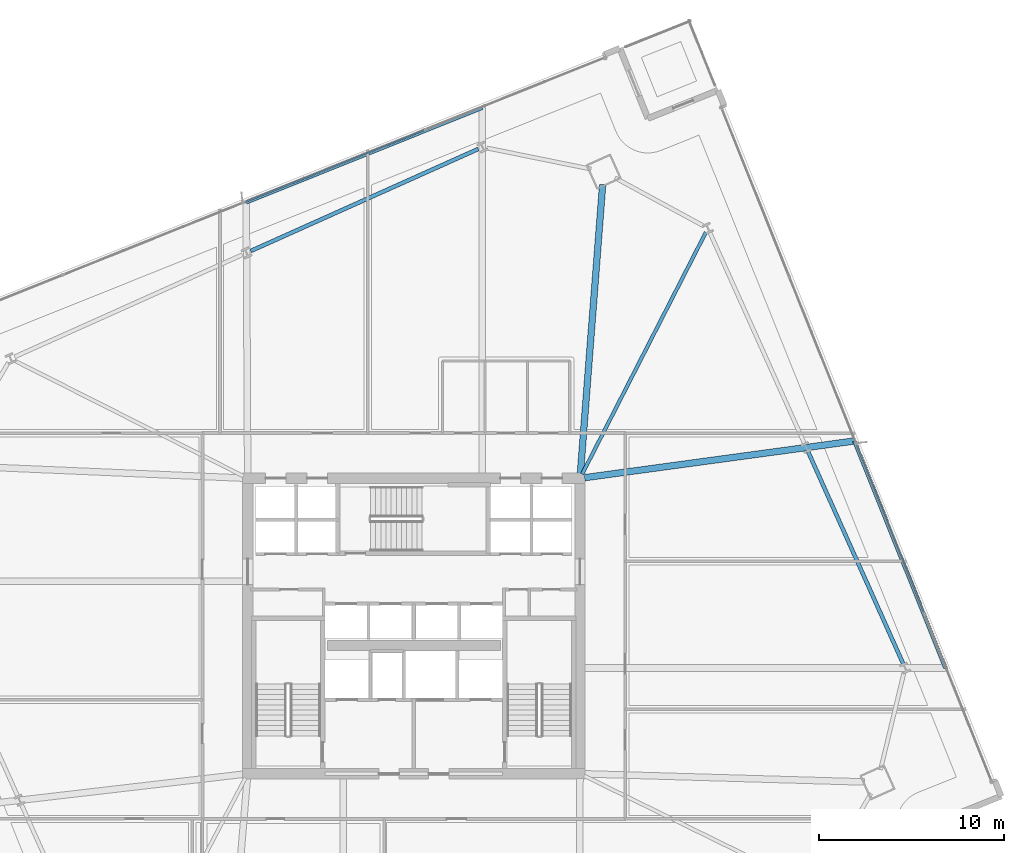
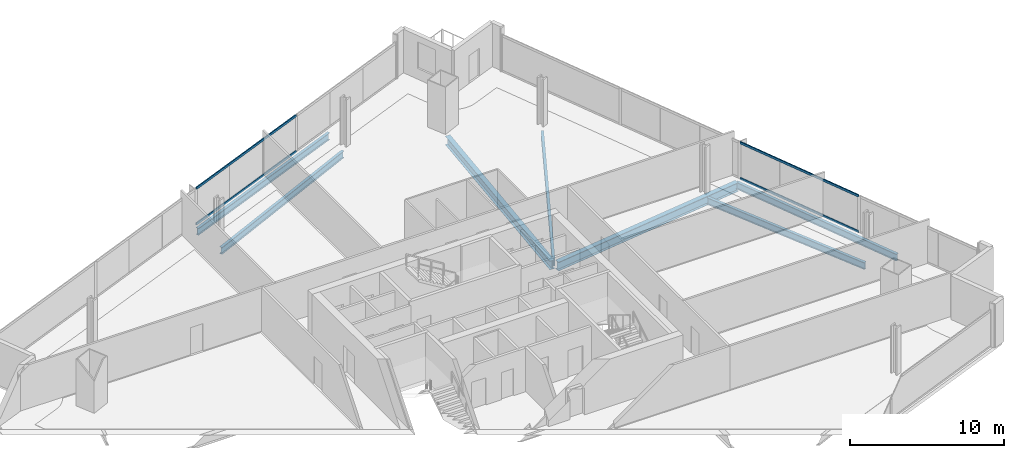
# One storey, part 18 of 33: 7 beams, 4 members, 2 elements without a shape of their own.
"""IFC4 building model written with IfcOpenShell, lengths in metres."""

from ifc_helpers import new_model, si_unit, direction, frame, origin, origin_2d, place, context, subcontext, project, spatial, hollow_rectangle, i_section, extrude, material, material_profile, profile_set, type_object, element, aggregate, save


model = new_model("IFC4")

# Units and contexts
model_context = context("Model", 3, precision=1e-05, world=origin(), true_north=direction((0.0, 1.0)))
body_context = subcontext(model_context, "Body", "Model", "MODEL_VIEW")
ifc_project = project(units=[si_unit("LENGTHUNIT", "METRE"), si_unit("AREAUNIT", "SQUARE_METRE"), si_unit("VOLUMEUNIT", "CUBIC_METRE"), si_unit("PLANEANGLEUNIT", "RADIAN"), si_unit("MASSUNIT", "GRAM", prefix="KILO")], contexts=[model_context])

# Site, building, storey
site_placement = place(None, origin())
site = spatial("IfcSite", under=ifc_project, at=site_placement, CompositionType="ELEMENT")
building_placement = place(site_placement, origin())
building = spatial("IfcBuilding", under=site, at=building_placement, Name="Haldenkirk Collegiate Tower", CompositionType="ELEMENT")
storey_placement = place(building_placement, frame((0.0, 0.0, 101.699951171875)))
storey = spatial("IfcBuildingStorey", under=building, at=storey_placement, Name="L24", CompositionType="ELEMENT", Elevation=101.699951171875)

# Beams
ifc_material_1 = material(Name="Steel ASTM A992 Grade 50", Category="steel")
ifc_material_profile_1 = material_profile(ifc_material_1, i_section(OverallWidth=0.35498046875, OverallDepth=0.696044921875, WebThickness=0.015380859375, FlangeThickness=0.02490234375, at=origin_2d()), Name="W27X146")
ifc_profile_set_1 = profile_set([ifc_material_profile_1], Name="Steel ASTM A992 Grade 50")
beam_type_1 = type_object("IfcBeamType", Name="BM-GIRDER-W27X146", PredefinedType="BEAM", material=ifc_profile_set_1)
beam_1_placement = place(storey_placement, frame((46.226806640625, 49.9072265625, -0.64794921875), z_axis=(-0.076898657581, -0.997038914217, 0.0), x_axis=(0.997038914217, -0.076898657581, 0.0)))
element("IfcBeam", 1, at=beam_1_placement, inside=storey, type_object=beam_type_1, Name="L24 primary floor girder 03", PredefinedType="BEAM", context=body_context, shape_type="SweptSolid", body=[
    extrude(i_section(OverallWidth=0.35498046875, OverallDepth=0.696044921875, WebThickness=0.015380859375, FlangeThickness=0.02490234375, at=origin_2d()), origin(), (0.0, 0.0, 1.0), 15.699462890625),
])
beam_2_placement = place(storey_placement, frame((59.8642578125, 36.022216796875, -0.64794921875), z_axis=(-0.990872735052, -0.134800678521, 0.0), x_axis=(0.134800678521, -0.990872735052, 0.0)))
element("IfcBeam", 2, at=beam_2_placement, inside=storey, type_object=beam_type_1, Name="L24 primary floor girder 09", PredefinedType="BEAM", context=body_context, shape_type="SweptSolid", body=[
    extrude(i_section(OverallWidth=0.35498046875, OverallDepth=0.696044921875, WebThickness=0.015380859375, FlangeThickness=0.02490234375, at=origin_2d()), origin(), (0.0, 0.0, 1.0), 14.74609375),
])
ifc_material_profile_2 = material_profile(ifc_material_1, i_section(OverallWidth=0.19189453125, OverallDepth=0.462890625, WebThickness=0.010498046875, FlangeThickness=0.017578125, at=origin_2d()), Name="W18X60")
ifc_profile_set_2 = profile_set([ifc_material_profile_2], Name="Steel ASTM A992 Grade 50")
beam_type_2 = type_object("IfcBeamType", Name="BM-JOIST-W18X60", PredefinedType="JOIST", material=ifc_profile_set_2)
beam_3_placement = place(storey_placement, frame((51.818603515625, 47.32470703125, -0.531494140625), z_axis=(-0.455544005291, -0.890213266158, 0.0), x_axis=(0.890213266158, -0.455544005291, 0.0)))
element("IfcBeam", 3, at=beam_3_placement, inside=storey, type_object=beam_type_2, Name="L24 composite floor joist 10", PredefinedType="JOIST", context=body_context, shape_type="SweptSolid", body=[
    extrude(i_section(OverallWidth=0.19189453125, OverallDepth=0.462890625, WebThickness=0.010498046875, FlangeThickness=0.017578125, at=origin_2d()), origin(), (0.0, 0.0, 1.0), 14.712890625),
])
ifc_material_profile_3 = material_profile(ifc_material_1, i_section(OverallWidth=0.2119140625, OverallDepth=0.5439453125, WebThickness=0.01318359375, FlangeThickness=0.021240234375, at=origin_2d()), Name="W21X83")
ifc_profile_set_3 = profile_set([ifc_material_profile_3], Name="Steel ASTM A992 Grade 50")
beam_type_3 = type_object("IfcBeamType", Name="BM-SPANDREL-W21X83", PredefinedType="SPANDREL", material=ifc_profile_set_3)
beam_4_placement = place(storey_placement, frame((62.50830078125, 23.951416015625, -0.572021484375), z_axis=(-0.409131045523, 0.91247563671, 0.0), x_axis=(-0.91247563671, -0.409131045523, 0.0)))
element("IfcBeam", 4, at=beam_4_placement, inside=storey, type_object=beam_type_3, Name="L24 perimeter spandrel beam 06", PredefinedType="SPANDREL", context=body_context, shape_type="SweptSolid", body=[
    extrude(i_section(OverallWidth=0.2119140625, OverallDepth=0.5439453125, WebThickness=0.01318359375, FlangeThickness=0.021240234375, at=origin_2d()), origin(), (0.0, 0.0, 1.0), 12.593994140625),
])
beam_5_placement = place(storey_placement, frame((39.4921875, 51.84033203125, -0.572021484375), z_axis=(-0.912476765144, -0.409128528793, 0.0), x_axis=(0.409128528793, -0.912476765144, 0.0)))
element("IfcBeam", 5, at=beam_5_placement, inside=storey, type_object=beam_type_3, Name="L24 perimeter spandrel beam 10", PredefinedType="SPANDREL", context=body_context, shape_type="SweptSolid", body=[
    extrude(i_section(OverallWidth=0.2119140625, OverallDepth=0.5439453125, WebThickness=0.01318359375, FlangeThickness=0.021240234375, at=origin_2d()), origin(), (0.0, 0.0, 1.0), 13.512939453125),
])
beam_6_placement = place(storey_placement, frame((64.794189453125, 23.727294921875, -0.572021484375), z_axis=(-0.372169079704, 0.928164950918, 0.0), x_axis=(-0.928164950918, -0.372169079704, 0.0)))
element("IfcBeam", 6, at=beam_6_placement, inside=storey, type_object=beam_type_3, Name="L24 outer facade edge beam 2", PredefinedType="SPANDREL", context=body_context, shape_type="SweptSolid", body=[
    extrude(i_section(OverallWidth=0.2119140625, OverallDepth=0.5439453125, WebThickness=0.01318359375, FlangeThickness=0.021240234375, at=origin_2d()), origin(), (0.0, 0.0, 1.0), 13.24658203125),
])
beam_7_placement = place(storey_placement, frame((39.71630859375, 54.080322265625, -0.572021484375), z_axis=(-0.928159951462, -0.372181547772, 0.0), x_axis=(0.372181547772, -0.928159951462, 0.0)))
element("IfcBeam", 7, at=beam_7_placement, inside=storey, type_object=beam_type_3, Name="L24 outer facade edge beam 3", PredefinedType="SPANDREL", context=body_context, shape_type="SweptSolid", body=[
    extrude(i_section(OverallWidth=0.2119140625, OverallDepth=0.5439453125, WebThickness=0.01318359375, FlangeThickness=0.021240234375, at=origin_2d()), origin(), (0.0, 0.0, 1.0), 13.78271484375),
])

# Curtain wall, members
ifc_material_2 = material(Name="Anodised architectural bronze aluminium", Category="aluminium")
curtain_wall_type = type_object("IfcCurtainWallType", Name="CW-SYS1-CONVEX-LOW", PredefinedType="USERDEFINED", material=ifc_material_2)
curtain_wall_1_placement = place(storey_placement, origin())
curtain_wall_1 = element("IfcCurtainWall", 8, at=curtain_wall_1_placement, inside=storey, type_object=curtain_wall_type, Name="L24 Lower tower convex bronze-framed unitised curtain wall", ObjectType="UNITISED CURTAIN WALL", PredefinedType="USERDEFINED")
ifc_material_profile_4 = material_profile(ifc_material_2, hollow_rectangle(XDim=0.080078125, YDim=0.179931640625, WallThickness=0.0048828125, at=origin_2d()), Name="CW-TRN-1A")
ifc_profile_set_4 = profile_set([ifc_material_profile_4], Name="Anodised architectural bronze aluminium")
member_type = type_object("IfcMemberType", Name="CW-TRN-1A", PredefinedType="USERDEFINED", material=ifc_profile_set_4)
member_1_placement = place(storey_placement, frame((59.998291015625, 35.79541015625, 0.0400390625), z_axis=(0.372183289337, -0.928159253112, 0.0), x_axis=(0.928159253112, 0.372183289337, 0.0)))
member_1 = element("IfcMember", 9, at=member_1_placement, type_object=member_type, Name="CW-1A transom 3.1", ObjectType="TRANSOM", PredefinedType="USERDEFINED", context=body_context, shape_type="SweptSolid", body=[
    extrude(hollow_rectangle(XDim=0.080078125, YDim=0.179931640625, WallThickness=0.0048828125, at=origin_2d()), origin(), (0.0, 0.0, 1.0), 9.77001953125),
])
member_2_placement = place(storey_placement, frame((59.998291015625, 35.79541015625, 2.861083984375), z_axis=(0.372183289337, -0.928159253112, 0.0), x_axis=(0.928159253112, 0.372183289337, 0.0)))
member_2 = element("IfcMember", 10, at=member_2_placement, type_object=member_type, Name="CW-1A transom 3.2", ObjectType="TRANSOM", PredefinedType="USERDEFINED", context=body_context, shape_type="SweptSolid", body=[
    extrude(hollow_rectangle(XDim=0.080078125, YDim=0.179931640625, WallThickness=0.0048828125, at=origin_2d()), origin(), (0.0, 0.0, 1.0), 9.77001953125),
])
aggregate(curtain_wall_1, [member_1, member_2])

curtain_wall_2_placement = place(storey_placement, origin())
curtain_wall_2 = element("IfcCurtainWall", 11, at=curtain_wall_2_placement, inside=storey, type_object=curtain_wall_type, Name="L24 Lower tower convex bronze-framed unitised curtain wall", ObjectType="UNITISED CURTAIN WALL", PredefinedType="USERDEFINED")
member_3_placement = place(storey_placement, frame((26.8369140625, 48.958984375, 0.0400390625), z_axis=(0.928159546536, 0.372182557589, 0.0), x_axis=(-0.372182557589, 0.928159546536, 0.0)))
member_3 = element("IfcMember", 12, at=member_3_placement, type_object=member_type, Name="CW-1A transom 3.1", ObjectType="TRANSOM", PredefinedType="USERDEFINED", context=body_context, shape_type="SweptSolid", body=[
    extrude(hollow_rectangle(XDim=0.080078125, YDim=0.179931640625, WallThickness=0.0048828125, at=origin_2d()), origin(), (0.0, 0.0, 1.0), 10.469970703125),
])
member_4_placement = place(storey_placement, frame((26.8369140625, 48.958984375, 2.861083984375), z_axis=(0.928159546536, 0.372182557589, 0.0), x_axis=(-0.372182557589, 0.928159546536, 0.0)))
member_4 = element("IfcMember", 13, at=member_4_placement, type_object=member_type, Name="CW-1A transom 3.2", ObjectType="TRANSOM", PredefinedType="USERDEFINED", context=body_context, shape_type="SweptSolid", body=[
    extrude(hollow_rectangle(XDim=0.080078125, YDim=0.179931640625, WallThickness=0.0048828125, at=origin_2d()), origin(), (0.0, 0.0, 1.0), 10.469970703125),
])
aggregate(curtain_wall_2, [member_3, member_4])

save(model, "model.ifc")
